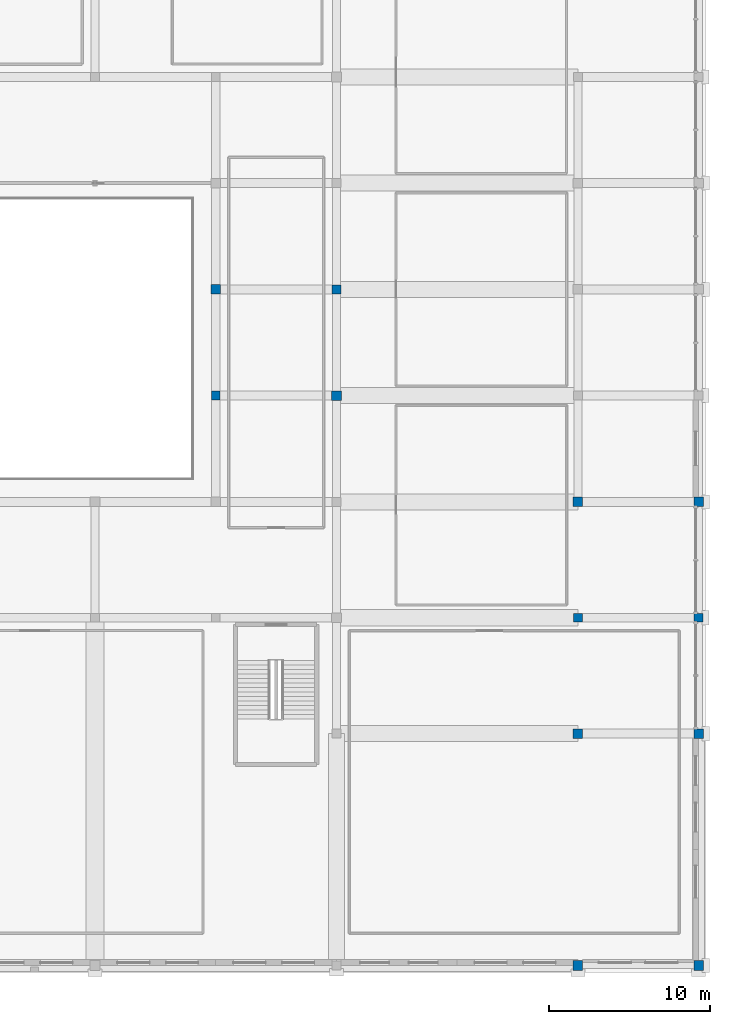
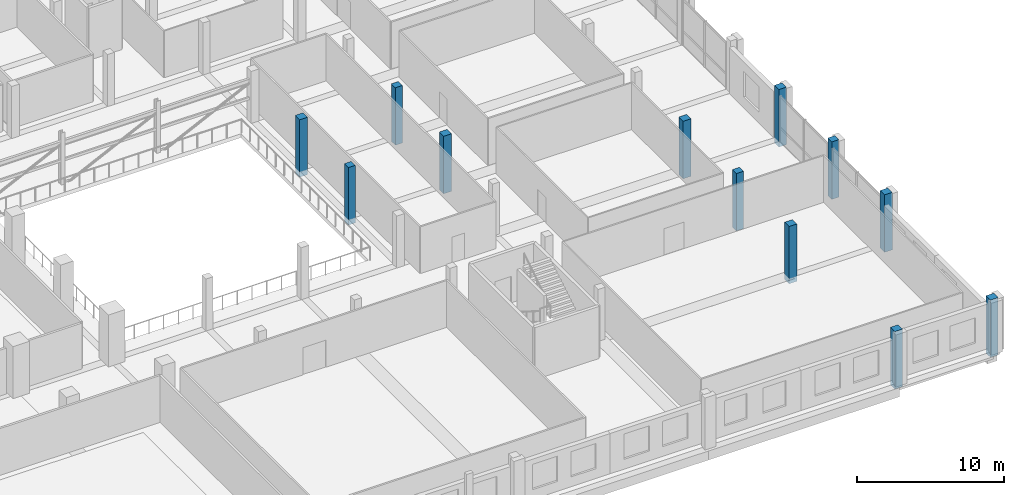
# One storey, part 5 of 68: 12 columns.
"""IFC4 building model written with IfcOpenShell, lengths in metres."""

from ifc_helpers import new_model, si_unit, direction, frame, origin, origin_2d, place, context, subcontext, project, spatial, rectangle, extrude, material, material_profile, profile_set, type_object, element, save


model = new_model("IFC4")

# Units and contexts
model_context = context("Model", 3, precision=1e-05, world=origin(), true_north=direction((0.0, 1.0)))
body_context = subcontext(model_context, "Body", "Model", "MODEL_VIEW")
ifc_project = project(units=[si_unit("LENGTHUNIT", "METRE"), si_unit("AREAUNIT", "SQUARE_METRE"), si_unit("VOLUMEUNIT", "CUBIC_METRE"), si_unit("PLANEANGLEUNIT", "RADIAN"), si_unit("MASSUNIT", "GRAM", prefix="KILO")], contexts=[model_context])

# Site, building, storey
site_placement = place(None, origin())
site = spatial("IfcSite", under=ifc_project, at=site_placement, CompositionType="ELEMENT")
building_placement = place(site_placement, origin())
building = spatial("IfcBuilding", under=site, at=building_placement, Name="Akrevak Sports Hall", CompositionType="ELEMENT")
storey_placement = place(building_placement, frame((0.0, 0.0, 9.39990234375)))
storey = spatial("IfcBuildingStorey", under=building, at=storey_placement, Name="L02", CompositionType="ELEMENT", Elevation=9.39990234375)

# Columns
ifc_material = material(Name="Concrete C40/50", Category="concrete")
ifc_material_profile_1 = material_profile(ifc_material, rectangle(XDim=0.550048828125, YDim=0.550048828125, at=origin_2d()), Name="RC 550x550", Category="concrete")
ifc_profile_set_1 = profile_set([ifc_material_profile_1], Name="Concrete C40/50")
column_type_1 = type_object("IfcColumnType", Name="STR-COL-RC550", PredefinedType="COLUMN", material=ifc_profile_set_1)
for number, where, z_axis, x_axis, name in (
    (1, (138.0, 35.39990234375, -0.449951171875), (0.0, 0.0, 1.0), (1.0, 0.0, 0.0), "Column 19/F (L02)"),
    (2, (145.5, 42.0, -0.449951171875), (0.0, 0.0, 1.0), (1.0, 0.0, 0.0), "Column 20/G (L02)"),
    (3, (160.5, 21.60009765625, -0.449951171875), (0.0, 0.0, 1.0), (1.0, 0.0, 0.0), "Column 22/D (L02)"),
    (4, (168.0, 21.60009765625, -0.449951171875), (0.0, 0.0, 1.0), (1.0, 0.0, 0.0), "Column 23/D (L02)"),
):
    element("IfcColumn", number, at=place(storey_placement, frame(where, z_axis=z_axis, x_axis=x_axis)), inside=storey, type_object=column_type_1, Name=name, PredefinedType="COLUMN", context=body_context, shape_type="SweptSolid", body=[
        extrude(rectangle(XDim=0.550048828125, YDim=0.550048828125, at=origin_2d()), origin(), (0.0, 0.0, 1.0), 4.77001953125),
    ])
ifc_material_profile_2 = material_profile(ifc_material, rectangle(XDim=0.60009765625, YDim=0.60009765625, at=origin_2d()), Name="RC 600x600", Category="concrete")
ifc_profile_set_2 = profile_set([ifc_material_profile_2], Name="Concrete C40/50")
column_type_2 = type_object("IfcColumnType", Name="STR-COL-RC600", PredefinedType="COLUMN", material=ifc_profile_set_2)
for number, where, z_axis, x_axis, name in (
    (5, (138.0, 42.0, -0.449951171875), (0.0, 0.0, 1.0), (1.0, 0.0, 0.0), "Column 19/G (L02)"),
    (6, (145.5, 35.39990234375, -0.449951171875), (0.0, 0.0, 1.0), (1.0, 0.0, 0.0), "Column 20/F (L02)"),
    (7, (160.5, 0.0, -0.449951171875), (0.0, 0.0, 1.0), (1.0, 0.0, 0.0), "Column 22/A (L02)"),
    (8, (160.5, 14.39990234375, -0.449951171875), (0.0, 0.0, 1.0), (1.0, 0.0, 0.0), "Column 22/C (L02)"),
    (9, (160.5, 28.800048828125, -0.449951171875), (0.0, 0.0, 1.0), (1.0, 0.0, 0.0), "Column 22/E (L02)"),
    (10, (168.0, 0.0, -0.449951171875), (0.0, 0.0, 1.0), (1.0, 0.0, 0.0), "Column 23/A (L02)"),
    (11, (168.0, 14.39990234375, -0.449951171875), (0.0, 0.0, 1.0), (1.0, 0.0, 0.0), "Column 23/C (L02)"),
    (12, (168.0, 28.800048828125, -0.449951171875), (0.0, 0.0, 1.0), (1.0, 0.0, 0.0), "Column 23/E (L02)"),
):
    element("IfcColumn", number, at=place(storey_placement, frame(where, z_axis=z_axis, x_axis=x_axis)), inside=storey, type_object=column_type_2, Name=name, PredefinedType="COLUMN", context=body_context, shape_type="SweptSolid", body=[
        extrude(rectangle(XDim=0.60009765625, YDim=0.60009765625, at=origin_2d()), origin(), (0.0, 0.0, 1.0), 4.77001953125),
    ])

save(model, "model.ifc")
